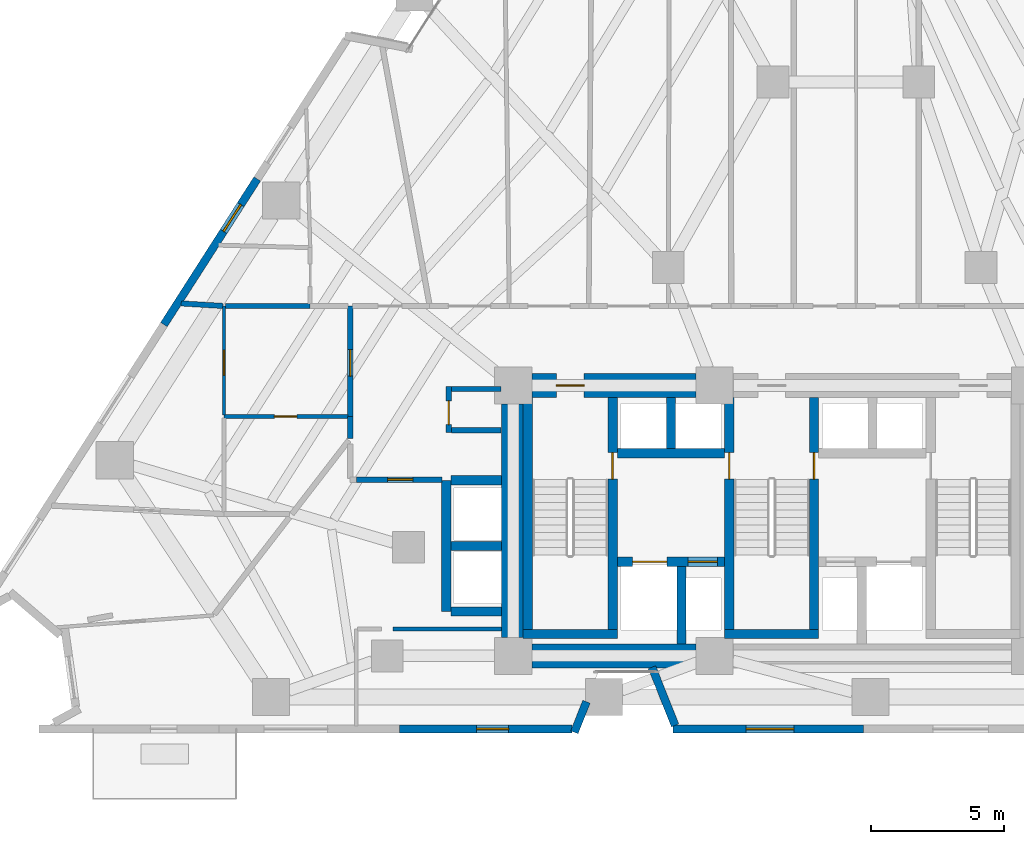
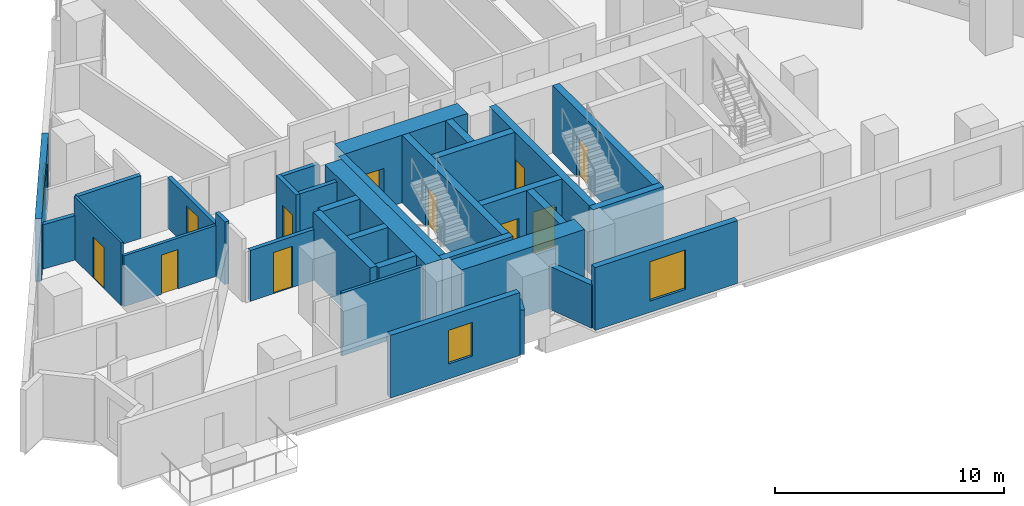
# One storey, part 8 of 14: 33 walls, 11 doors, 3 windows, 14 openings.
"""IFC4 building model written with IfcOpenShell, lengths in metres."""

from ifc_helpers import new_model, si_unit, direction, frame, frame_2d, origin, place, context, subcontext, project, spatial, rectangle, extrude, material, layer, layer_set, type_object, element, fill, save


model = new_model("IFC4")

# Units and contexts
model_context = context("Model", 3, precision=1e-05, world=origin(), true_north=direction((0.0, 1.0)))
body_context = subcontext(model_context, "Body", "Model", "MODEL_VIEW")
ifc_project = project(units=[si_unit("LENGTHUNIT", "METRE"), si_unit("AREAUNIT", "SQUARE_METRE"), si_unit("VOLUMEUNIT", "CUBIC_METRE"), si_unit("PLANEANGLEUNIT", "RADIAN"), si_unit("MASSUNIT", "GRAM", prefix="KILO")], contexts=[model_context])

# Site, building, storey
site_placement = place(None, origin())
site = spatial("IfcSite", under=ifc_project, at=site_placement, CompositionType="ELEMENT")
building_placement = place(site_placement, origin())
building = spatial("IfcBuilding", under=site, at=building_placement, Name="Almagre Mirador Tower", CompositionType="ELEMENT")
storey_placement = place(building_placement, frame((0.0, 0.0, 35.39990234375)))
storey = spatial("IfcBuildingStorey", under=building, at=storey_placement, Name="L07", CompositionType="ELEMENT", Elevation=35.39990234375)

# Wall, opening, window
ifc_material_1 = material(Name="Precast concrete C50/60", Category="concrete")
ifc_layer_1 = layer(ifc_material_1, 0.300048828125)
ifc_layer_set_1 = layer_set([ifc_layer_1], Name="Precast concrete C50/60")
wall_type_1 = type_object("IfcWallType", Name="WAL-EXT-300", PredefinedType="SOLIDWALL", material=ifc_layer_set_1)
wall_1_placement = place(storey_placement, frame((40.760986328125, 1.800048828125, 0.0), z_axis=(0.0, 0.0, 1.0), x_axis=(-1.0, 0.0, 0.0)))
wall_1 = element("IfcWall", 1, at=wall_1_placement, inside=storey, type_object=wall_type_1, Name="L07 expressed almagre precast frame wall 25", PredefinedType="SOLIDWALL", context=body_context, shape_type="SweptSolid", body=[
    extrude(rectangle(XDim=7.19287109375, YDim=0.300048828125, at=frame_2d((3.596435546875, 0.0))), origin(), (0.0, 0.0, 1.0), 3.35009765625),
])
opening_1_placement = place(wall_1_placement, frame((2.625, 0.0, 0.60009765625)))
opening_1 = element("IfcOpeningElement", 2, at=opening_1_placement, cuts=wall_1, Name="Opening WN-01", PredefinedType="OPENING", context=body_context, shape_type="SweptSolid", body=[
    extrude(rectangle(XDim=1.800048828125, YDim=2.10009765625, at=frame_2d((0.89990234375, 1.050048828125))), frame((0.0, 0.159902, 0.0), z_axis=(0.0, -1.0, 0.0), x_axis=(1.0, 0.0, 0.0)), (0.0, 0.0, 1.0), 0.320049),
])
ifc_material_2 = material(Name="Dark solar-control laminated hurricane glass", Category="glass")
window_type_1 = type_object("IfcWindowType", Name="WIN-1800X2100", PartitioningType="DOUBLE_PANEL_VERTICAL", PredefinedType="WINDOW", material=ifc_material_2)
window_1_placement = place(opening_1_placement, origin())
window_1 = element("IfcWindow", 3, at=window_1_placement, inside=storey, type_object=window_type_1, Name="L07 recessed hurricane window L07-RST-C", OverallHeight=2.10009765625, OverallWidth=1.800048828125, PartitioningType="SINGLE_PANEL", PredefinedType="WINDOW", context=body_context, shape_type="SweptSolid", body=[
    extrude(rectangle(XDim=1.800048828125, YDim=2.10009765625, at=frame_2d((0.89990234375, 1.050048828125))), frame((0.0, 0.030029296875, 0.0), z_axis=(0.0, -1.0, 0.0), x_axis=(1.0, 0.0, 0.0)), (0.0, 0.0, 1.0), 0.06005859375),
])
fill(opening_1, window_1)

# Walls
wall_2_placement = place(storey_placement, frame((33.658203125, 1.92529296875, 0.0), z_axis=(0.0, 0.0, 1.0), x_axis=(-0.36946923074, 0.92924296475, 0.0)))
element("IfcWall", 4, at=wall_2_placement, inside=storey, type_object=wall_type_1, Name="L07 expressed almagre precast frame wall 26", PredefinedType="SOLIDWALL", context=body_context, shape_type="SweptSolid", body=[
    extrude(rectangle(XDim=2.366943359375, YDim=0.300048828125, at=frame_2d((1.18359375, 0.0))), origin(), (0.0, 0.0, 1.0), 2.300048828125),
])
wall_3_placement = place(storey_placement, frame((30.31396484375, 2.82080078125, 0.0), z_axis=(0.0, 0.0, 1.0), x_axis=(-0.369588763291, -0.929195429417, 0.0)))
element("IfcWall", 5, at=wall_3_placement, inside=storey, type_object=wall_type_1, Name="L07 expressed almagre precast frame wall 27", PredefinedType="SOLIDWALL", context=body_context, shape_type="SweptSolid", body=[
    extrude(rectangle(XDim=1.238525390625, YDim=0.300048828125, at=frame_2d((0.619140625, 0.0))), origin(), (0.0, 0.0, 1.0), 2.375),
])

# Wall, opening, window
wall_4_placement = place(storey_placement, frame((29.76806640625, 1.800048828125, 0.0), z_axis=(0.0, 0.0, 1.0), x_axis=(-1.0, 0.0, 0.0)))
wall_4 = element("IfcWall", 6, at=wall_4_placement, inside=storey, type_object=wall_type_1, Name="L07 expressed almagre precast frame wall 28", PredefinedType="SOLIDWALL", context=body_context, shape_type="SweptSolid", body=[
    extrude(rectangle(XDim=6.51611328125, YDim=0.300048828125, at=frame_2d((3.258056640625, 0.0))), origin(), (0.0, 0.0, 1.0), 3.35009765625),
])
opening_2_placement = place(wall_4_placement, frame((2.39501953125, 0.0, 0.800048828125)))
opening_2 = element("IfcOpeningElement", 7, at=opening_2_placement, cuts=wall_4, Name="Opening WN-04", PredefinedType="OPENING", context=body_context, shape_type="SweptSolid", body=[
    extrude(rectangle(XDim=1.199951171875, YDim=1.800048828125, at=frame_2d((0.60009765625, 0.89990234375))), frame((0.0, 0.159902, 0.0), z_axis=(0.0, -1.0, 0.0), x_axis=(1.0, 0.0, 0.0)), (0.0, 0.0, 1.0), 0.320049),
])
ifc_material_3 = material(Name="Dark solar-control laminated hurricane glass", Category="glass")
window_type_2 = type_object("IfcWindowType", Name="WIN-1200X1800", PartitioningType="SINGLE_PANEL", PredefinedType="WINDOW", material=ifc_material_3)
window_2_placement = place(opening_2_placement, origin())
window_2 = element("IfcWindow", 8, at=window_2_placement, inside=storey, type_object=window_type_2, Name="L07 recessed hurricane window L07-UB-KT", OverallHeight=1.800048828125, OverallWidth=1.199951171875, PartitioningType="SINGLE_PANEL", PredefinedType="WINDOW", context=body_context, shape_type="SweptSolid", body=[
    extrude(rectangle(XDim=1.199951171875, YDim=1.800048828125, at=frame_2d((0.60009765625, 0.89990234375))), frame((0.0, 0.030029296875, 0.0), z_axis=(0.0, -1.0, 0.0), x_axis=(1.0, 0.0, 0.0)), (0.0, 0.0, 1.0), 0.06005859375),
])
fill(opening_2, window_2)

wall_5_placement = place(storey_placement, frame((14.3720703125, 17.049072265625, 0.0), z_axis=(0.0, 0.0, 1.0), x_axis=(0.539499522652, 0.841985905498, 0.0)))
wall_5 = element("IfcWall", 9, at=wall_5_placement, inside=storey, type_object=wall_type_1, Name="L07 expressed almagre precast frame wall 37", PredefinedType="SOLIDWALL", context=body_context, shape_type="SweptSolid", body=[
    extrude(rectangle(XDim=6.525390625, YDim=0.300048828125, at=frame_2d((3.2626953125, 0.0))), origin(), (0.0, 0.0, 1.0), 3.35009765625),
])
opening_3_placement = place(wall_5_placement, frame((4.175048828125, 0.0, 0.800048828125)))
opening_3 = element("IfcOpeningElement", 10, at=opening_3_placement, cuts=wall_5, Name="Opening WN-04", PredefinedType="OPENING", context=body_context, shape_type="SweptSolid", body=[
    extrude(rectangle(XDim=1.199951171875, YDim=1.800048828125, at=frame_2d((0.60009765625, 0.89990234375))), frame((0.0, 0.159902, 0.0), z_axis=(0.0, -1.0, 0.0), x_axis=(1.0, 0.0, 0.0)), (0.0, 0.0, 1.0), 0.320049),
])
window_3_placement = place(opening_3_placement, origin())
window_3 = element("IfcWindow", 11, at=window_3_placement, inside=storey, type_object=window_type_2, Name="L07 recessed hurricane window L07-UG-KT", OverallHeight=1.800048828125, OverallWidth=1.199951171875, PartitioningType="SINGLE_PANEL", PredefinedType="WINDOW", context=body_context, shape_type="SweptSolid", body=[
    extrude(rectangle(XDim=1.199951171875, YDim=1.800048828125, at=frame_2d((0.60009765625, 0.89990234375))), frame((0.0, 0.030029296875, 0.0), z_axis=(0.0, -1.0, 0.0), x_axis=(1.0, 0.0, 0.0)), (0.0, 0.0, 1.0), 0.06005859375),
])
fill(opening_3, window_3)

# Wall, opening, door
ifc_material_4 = material(Name="Gypsum acoustic stud partition", Category="other")
ifc_layer_2 = layer(ifc_material_4, 0.125)
ifc_layer_set_2 = layer_set([ifc_layer_2], Name="Gypsum acoustic stud partition")
wall_type_2 = type_object("IfcWallType", Name="WAL-PRT-125-UTL", PredefinedType="PARTITIONING", material=ifc_layer_set_2)
wall_6_placement = place(storey_placement, frame((16.639892578125, 17.75, 0.0), z_axis=(0.0, 0.0, 1.0), x_axis=(0.0, -1.0, 0.0)))
wall_6 = element("IfcWall", 12, at=wall_6_placement, inside=storey, type_object=wall_type_2, Name="L07 interior partition 034", PredefinedType="PARTITIONING", context=body_context, shape_type="SweptSolid", body=[
    extrude(rectangle(XDim=4.110107421875, YDim=0.125, at=frame_2d((2.05517578125, 0.0))), origin(), (0.0, 0.0, 1.0), 3.35009765625),
])
opening_4_placement = place(wall_6_placement, frame((1.668701171875, 0.0, 0.0)))
opening_4 = element("IfcOpeningElement", 13, at=opening_4_placement, cuts=wall_6, Name="Opening UD-01", PredefinedType="OPENING", context=body_context, shape_type="SweptSolid", body=[
    extrude(rectangle(XDim=0.949951171875, YDim=2.199951171875, at=frame_2d((0.47509765625, 1.10009765625))), frame((0.0, 0.0725, 0.0), z_axis=(0.0, -1.0, 0.0), x_axis=(1.0, 0.0, 0.0)), (0.0, 0.0, 1.0), 0.145),
])
ifc_material_5 = material(Name="Solid American walnut timber", Category="wood")
door_type_1 = type_object("IfcDoorType", Name="DOR-UNR-950X2200", OperationType="NOTDEFINED", PredefinedType="DOOR", material=ifc_material_5)
door_1_placement = place(opening_4_placement, origin())
door_1 = element("IfcDoor", 14, at=door_1_placement, inside=storey, type_object=door_type_1, Name="DR-0221 L07 interior door L07-UE-ST to L07-UE-KT", OperationType="SINGLE_SWING_RIGHT", OverallHeight=2.199951171875, OverallWidth=0.949951171875, PredefinedType="DOOR", context=body_context, shape_type="SweptSolid", body=[
    extrude(rectangle(XDim=0.949951171875, YDim=2.199951171875, at=frame_2d((0.47509765625, 1.10009765625))), frame((0.0, 0.02490234375, 0.0), z_axis=(0.0, -1.0, 0.0), x_axis=(1.0, 0.0, 0.0)), (0.0, 0.0, 1.0), 0.050048828125),
])
fill(opening_4, door_1)

# Wall
ifc_material_6 = material(Name="Gypsum acoustic stud partition", Category="other")
ifc_layer_3 = layer(ifc_material_6, 0.14990234375)
ifc_layer_set_3 = layer_set([ifc_layer_3], Name="Gypsum acoustic stud partition")
wall_type_3 = type_object("IfcWallType", Name="WAL-PRT-150-STD", PredefinedType="PARTITIONING", material=ifc_layer_set_3)
wall_7_placement = place(storey_placement, frame((23.02001953125, 5.570068359375, 0.0), z_axis=(0.0, 0.0, 1.0), x_axis=(1.0, 0.0, 0.0)))
element("IfcWall", 15, at=wall_7_placement, inside=storey, type_object=wall_type_3, Name="L07 interior partition 030", PredefinedType="PARTITIONING", context=body_context, shape_type="SweptSolid", body=[
    extrude(rectangle(XDim=4.080078125, YDim=0.14990234375, at=frame_2d((2.0400390625, 0.0))), origin(), (0.0, 0.0, 1.0), 3.35009765625),
])

# Wall, opening, door
wall_8_placement = place(storey_placement, frame((16.639892578125, 13.580078125, 0.0), z_axis=(0.0, 0.0, 1.0), x_axis=(1.0, 0.0, 0.0)))
wall_8 = element("IfcWall", 16, at=wall_8_placement, inside=storey, type_object=wall_type_3, Name="L07 interior partition 033", PredefinedType="PARTITIONING", context=body_context, shape_type="SweptSolid", body=[
    extrude(rectangle(XDim=4.675048828125, YDim=0.14990234375, at=frame_2d((2.33740234375, 0.0))), origin(), (0.0, 0.0, 1.0), 2.712158203125),
])
opening_5_placement = place(wall_8_placement, frame((1.896484375, 0.0, 0.0)))
opening_5 = element("IfcOpeningElement", 17, at=opening_5_placement, cuts=wall_8, Name="Opening UD-04", PredefinedType="OPENING", context=body_context, shape_type="SweptSolid", body=[
    extrude(rectangle(XDim=0.85009765625, YDim=2.10009765625, at=frame_2d((0.425048828125, 1.050048828125))), frame((0.0, 0.084951, 0.0), z_axis=(0.0, -1.0, 0.0), x_axis=(1.0, 0.0, 0.0)), (0.0, 0.0, 1.0), 0.169902),
])
ifc_material_7 = material(Name="Moisture-resistant oak timber", Category="wood")
door_type_2 = type_object("IfcDoorType", Name="DOR-UNR-850X2100", OperationType="NOTDEFINED", PredefinedType="DOOR", material=ifc_material_7)
door_2_placement = place(opening_5_placement, origin())
door_2 = element("IfcDoor", 18, at=door_2_placement, inside=storey, type_object=door_type_2, Name="DR-0222 L07 interior door L07-UE-ST to L07-UE-BT", OperationType="SINGLE_SWING_LEFT", OverallHeight=2.10009765625, OverallWidth=0.85009765625, PredefinedType="DOOR", context=body_context, shape_type="SweptSolid", body=[
    extrude(rectangle(XDim=0.85009765625, YDim=2.10009765625, at=frame_2d((0.425048828125, 1.050048828125))), frame((0.0, 0.02490234375, 0.0), z_axis=(0.0, -1.0, 0.0), x_axis=(1.0, 0.0, 0.0)), (0.0, 0.0, 1.0), 0.050048828125),
])
fill(opening_5, door_2)

ifc_material_8 = material(Name="Gypsum acoustic stud partition", Category="other")
ifc_layer_4 = layer(ifc_material_8, 0.199951171875)
ifc_layer_set_4 = layer_set([ifc_layer_4], Name="Gypsum acoustic stud partition")
wall_type_4 = type_object("IfcWallType", Name="WAL-PRT-200-EI60", PredefinedType="PARTITIONING", material=ifc_layer_set_4)
wall_9_placement = place(storey_placement, frame((25.1201171875, 12.969970703125, 0.0), z_axis=(0.0, 0.0, 1.0), x_axis=(0.0, 1.0, 0.0)))
wall_9 = element("IfcWall", 19, at=wall_9_placement, inside=storey, type_object=wall_type_4, Name="L07 core ancillary west wall", PredefinedType="PARTITIONING", context=body_context, shape_type="SweptSolid", body=[
    extrude(rectangle(XDim=1.739990234375, YDim=0.199951171875, at=frame_2d((0.8701171875, 0.0))), origin(), (0.0, 0.0, 1.0), 3.35009765625),
])
opening_6_placement = place(wall_9_placement, frame((0.304931640625, 0.0, 0.0)))
opening_6 = element("IfcOpeningElement", 20, at=opening_6_placement, cuts=wall_9, Name="Opening ID-03", PredefinedType="OPENING", context=body_context, shape_type="SweptSolid", body=[
    extrude(rectangle(XDim=0.89990234375, YDim=2.10009765625, at=frame_2d((0.449951171875, 1.050048828125))), frame((0.0, 0.110098, 0.0), z_axis=(0.0, -1.0, 0.0), x_axis=(1.0, 0.0, 0.0)), (0.0, 0.0, 1.0), 0.219951),
])
ifc_material_9 = material(Name="Fire-rated hollow steel", Category="steel")
door_type_3 = type_object("IfcDoorType", Name="DOR-FD60-900X2100", OperationType="NOTDEFINED", PredefinedType="DOOR", material=ifc_material_9)
door_3_placement = place(opening_6_placement, origin())
door_3 = element("IfcDoor", 21, at=door_3_placement, inside=storey, type_object=door_type_3, Name="DR-0207 L07 core ancillary corridor door", OperationType="SINGLE_SWING_LEFT", OverallHeight=2.10009765625, OverallWidth=0.89990234375, PredefinedType="DOOR", context=body_context, shape_type="SweptSolid", body=[
    extrude(rectangle(XDim=0.89990234375, YDim=2.10009765625, at=frame_2d((0.449951171875, 1.050048828125))), frame((0.0, 0.02490234375, 0.0), z_axis=(0.0, -1.0, 0.0), x_axis=(1.0, 0.0, 0.0)), (0.0, 0.0, 1.0), 0.050048828125),
])
fill(opening_6, door_3)

# Walls
for number, where, z_axis, x_axis, name in (
    (22, (25.22509765625, 14.6201171875, 0.0), (0.0, 0.0, 1.0), (1.0, 0.0, 0.0), "L07 core ancillary north wall"),
    (23, (25.22509765625, 13.06005859375, 0.0), (0.0, 0.0, 1.0), (1.0, 0.0, 0.0), "L07 core ancillary south wall"),
):
    element("IfcWall", number, at=place(storey_placement, frame(where, z_axis=z_axis, x_axis=x_axis)), inside=storey, type_object=wall_type_4, Name=name, PredefinedType="PARTITIONING", context=body_context, shape_type="SweptSolid", body=[
        extrude(rectangle(XDim=1.85986328125, YDim=0.199951171875, at=frame_2d((0.929931640625, 0.0))), origin(), (0.0, 0.0, 1.0), 3.35009765625),
    ])

# Wall, opening, door
wall_10_placement = place(storey_placement, frame((21.6298828125, 11.199951171875, 0.0), z_axis=(0.0, 0.0, 1.0), x_axis=(1.0, 0.0, 0.0)))
wall_10 = element("IfcWall", 24, at=wall_10_placement, inside=storey, type_object=wall_type_4, Name="L07 interior partition 003", PredefinedType="PARTITIONING", context=body_context, shape_type="SweptSolid", body=[
    extrude(rectangle(XDim=3.2392578125, YDim=0.199951171875, at=frame_2d((1.61962890625, 0.0))), origin(), (0.0, 0.0, 1.0), 2.712158203125),
])
opening_7_placement = place(wall_10_placement, frame((1.18505859375, 0.0, 0.0)))
opening_7 = element("IfcOpeningElement", 25, at=opening_7_placement, cuts=wall_10, Name="Opening UD-01", PredefinedType="OPENING", context=body_context, shape_type="SweptSolid", body=[
    extrude(rectangle(XDim=0.949951171875, YDim=2.199951171875, at=frame_2d((0.47509765625, 1.10009765625))), frame((0.0, 0.110098, 0.0), z_axis=(0.0, -1.0, 0.0), x_axis=(1.0, 0.0, 0.0)), (0.0, 0.0, 1.0), 0.219951),
])
door_4_placement = place(opening_7_placement, origin())
door_4 = element("IfcDoor", 26, at=door_4_placement, inside=storey, type_object=door_type_1, Name="DR-0230 L07 interior door L07-UA-KT to L07-RCOR", OperationType="SINGLE_SWING_LEFT", OverallHeight=2.199951171875, OverallWidth=0.949951171875, PredefinedType="DOOR", context=body_context, shape_type="SweptSolid", body=[
    extrude(rectangle(XDim=0.949951171875, YDim=2.199951171875, at=frame_2d((0.47509765625, 1.10009765625))), frame((0.0, 0.02490234375, 0.0), z_axis=(0.0, -1.0, 0.0), x_axis=(1.0, 0.0, 0.0)), (0.0, 0.0, 1.0), 0.050048828125),
])
fill(opening_7, door_4)

wall_11_placement = place(storey_placement, frame((21.39990234375, 17.75, 0.0), z_axis=(0.0, 0.0, 1.0), x_axis=(0.0, -1.0, 0.0)))
wall_11 = element("IfcWall", 27, at=wall_11_placement, inside=storey, type_object=wall_type_4, Name="L07 interior partition 007", PredefinedType="PARTITIONING", context=body_context, shape_type="SweptSolid", body=[
    extrude(rectangle(XDim=4.169921875, YDim=0.199951171875, at=frame_2d((2.0849609375, 0.0))), origin(), (0.0, 0.0, 1.0), 2.712158203125),
])
opening_8_placement = place(wall_11_placement, frame((1.642822265625, 0.0, 0.0)))
opening_8 = element("IfcOpeningElement", 28, at=opening_8_placement, cuts=wall_11, Name="Opening ID-01", PredefinedType="OPENING", context=body_context, shape_type="SweptSolid", body=[
    extrude(rectangle(XDim=1.0, YDim=2.199951171875, at=frame_2d((0.5, 1.10009765625))), frame((0.0, 0.110098, 0.0), z_axis=(0.0, -1.0, 0.0), x_axis=(1.0, 0.0, 0.0)), (0.0, 0.0, 1.0), 0.219951),
])
ifc_material_10 = material(Name="Fire-rated walnut timber", Category="wood")
door_type_4 = type_object("IfcDoorType", Name="DOR-FD60-1000X2200", OperationType="NOTDEFINED", PredefinedType="DOOR", material=ifc_material_10)
door_5_placement = place(opening_8_placement, origin())
door_5 = element("IfcDoor", 29, at=door_5_placement, inside=storey, type_object=door_type_4, Name="DR-0220 L07 interior door L07-RCOR to L07-UE-ST", OperationType="SINGLE_SWING_LEFT", OverallHeight=2.199951171875, OverallWidth=1.0, PredefinedType="DOOR", context=body_context, shape_type="SweptSolid", body=[
    extrude(rectangle(XDim=1.0, YDim=2.199951171875, at=frame_2d((0.5, 1.10009765625))), frame((0.0, 0.02490234375, 0.0), z_axis=(0.0, -1.0, 0.0), x_axis=(1.0, 0.0, 0.0)), (0.0, 0.0, 1.0), 0.050048828125),
])
fill(opening_8, door_5)

# Walls
wall_12_placement = place(storey_placement, frame((21.39990234375, 13.580078125, 0.0), z_axis=(0.0, 0.0, 1.0), x_axis=(0.0, -1.0, 0.0)))
element("IfcWall", 30, at=wall_12_placement, inside=storey, type_object=wall_type_4, Name="L07 interior partition 008", PredefinedType="PARTITIONING", context=body_context, shape_type="SweptSolid", body=[
    extrude(rectangle(XDim=0.830078125, YDim=0.199951171875, at=frame_2d((0.4150390625, 0.0))), origin(), (0.0, 0.0, 1.0), 3.35009765625),
])
wall_13_placement = place(storey_placement, frame((19.889892578125, 17.75, 0.0), z_axis=(0.0, 0.0, 1.0), x_axis=(-1.0, 0.0, 0.0)))
element("IfcWall", 31, at=wall_13_placement, inside=storey, type_object=wall_type_4, Name="L07 interior partition 036", PredefinedType="PARTITIONING", context=body_context, shape_type="SweptSolid", body=[
    extrude(rectangle(XDim=3.202392578125, YDim=0.199951171875, at=frame_2d((1.60107421875, 0.0))), origin(), (0.0, 0.0, 1.0), 3.35009765625),
])
wall_14_placement = place(storey_placement, frame((16.592529296875, 17.752197265625, 0.0), z_axis=(0.0, 0.0, 1.0), x_axis=(-0.998181550188, 0.060279290502, 0.0)))
element("IfcWall", 32, at=wall_14_placement, inside=storey, type_object=wall_type_4, Name="L07 interior partition 038", PredefinedType="PARTITIONING", context=body_context, shape_type="SweptSolid", body=[
    extrude(rectangle(XDim=1.571533203125, YDim=0.199951171875, at=frame_2d((0.78564453125, 0.0))), origin(), (0.0, 0.0, 1.0), 2.3701171875),
])
ifc_material_11 = material(Name="Concrete C60/75", Category="concrete")
ifc_layer_5 = layer(ifc_material_11, 0.35009765625)
ifc_layer_set_5 = layer_set([ifc_layer_5], Name="Concrete C60/75")
wall_type_5 = type_object("IfcWallType", Name="WAL-SHF-350", PredefinedType="SOLIDWALL", material=ifc_layer_set_5)
wall_15_placement = place(storey_placement, frame((28.10009765625, 5.199951171875, 0.0), z_axis=(0.0, 0.0, 1.0), x_axis=(0.0, 1.0, 0.0)))
element("IfcWall", 33, at=wall_15_placement, inside=storey, type_object=wall_type_5, Name="L07 shaft wall ST1-W", PredefinedType="SOLIDWALL", context=body_context, shape_type="SweptSolid", body=[
    extrude(rectangle(XDim=9.10009765625, YDim=0.35009765625, at=frame_2d((4.550048828125, 0.0))), origin(), (0.0, 0.0, 1.0), 3.60009765625),
])

# Wall, opening, door
wall_16_placement = place(storey_placement, frame((31.300048828125, 5.199951171875, 0.0), z_axis=(0.0, 0.0, 1.0), x_axis=(0.0, 1.0, 0.0)))
wall_16 = element("IfcWall", 34, at=wall_16_placement, inside=storey, type_object=wall_type_5, Name="L07 shaft wall ST1-E", PredefinedType="SOLIDWALL", context=body_context, shape_type="SweptSolid", body=[
    extrude(rectangle(XDim=9.10009765625, YDim=0.35009765625, at=frame_2d((4.550048828125, 0.0))), origin(), (0.0, 0.0, 1.0), 3.60009765625),
])
opening_9_placement = place(wall_16_placement, frame((6.02001953125, 0.0, 0.0)))
opening_9 = element("IfcOpeningElement", 35, at=opening_9_placement, cuts=wall_16, Name="Opening FD-01", PredefinedType="OPENING", context=body_context, shape_type="SweptSolid", body=[
    extrude(rectangle(XDim=1.0, YDim=2.14990234375, at=frame_2d((0.5, 1.074951171875))), frame((0.0, 0.185049, 0.0), z_axis=(0.0, -1.0, 0.0), x_axis=(1.0, 0.0, 0.0)), (0.0, 0.0, 1.0), 0.370098),
])
ifc_material_12 = material(Name="Fire-rated hollow steel", Category="steel")
door_type_5 = type_object("IfcDoorType", Name="DOR-FFL-1000X2150", OperationType="NOTDEFINED", PredefinedType="DOOR", material=ifc_material_12)
door_6_placement = place(opening_9_placement, origin())
door_6 = element("IfcDoor", 36, at=door_6_placement, inside=storey, type_object=door_type_5, Name="DR-0208 L07 FFL1-ST1 smokeproof door", OperationType="SINGLE_SWING_LEFT", OverallHeight=2.14990234375, OverallWidth=1.0, PredefinedType="DOOR", context=body_context, shape_type="SweptSolid", body=[
    extrude(rectangle(XDim=1.0, YDim=2.14990234375, at=frame_2d((0.5, 1.074951171875))), frame((0.0, 0.02490234375, 0.0), z_axis=(0.0, -1.0, 0.0), x_axis=(1.0, 0.0, 0.0)), (0.0, 0.0, 1.0), 0.050048828125),
])
fill(opening_9, door_6)

# Wall
wall_17_placement = place(storey_placement, frame((27.925048828125, 5.375, 0.0), z_axis=(0.0, 0.0, 1.0), x_axis=(1.0, 0.0, 0.0)))
element("IfcWall", 37, at=wall_17_placement, inside=storey, type_object=wall_type_5, Name="L07 shaft wall ST1-S", PredefinedType="SOLIDWALL", context=body_context, shape_type="SweptSolid", body=[
    extrude(rectangle(XDim=3.550048828125, YDim=0.35009765625, at=frame_2d((1.77490234375, 0.0))), origin(), (0.0, 0.0, 1.0), 3.60009765625),
])

# Wall, opening, door
wall_18_placement = place(storey_placement, frame((35.699951171875, 5.199951171875, 0.0), z_axis=(0.0, 0.0, 1.0), x_axis=(0.0, 1.0, 0.0)))
wall_18 = element("IfcWall", 38, at=wall_18_placement, inside=storey, type_object=wall_type_5, Name="L07 shaft wall ST2-W", PredefinedType="SOLIDWALL", context=body_context, shape_type="SweptSolid", body=[
    extrude(rectangle(XDim=9.10009765625, YDim=0.35009765625, at=frame_2d((4.550048828125, 0.0))), origin(), (0.0, 0.0, 1.0), 3.60009765625),
])
opening_10_placement = place(wall_18_placement, frame((6.02001953125, 0.0, 0.0)))
opening_10 = element("IfcOpeningElement", 39, at=opening_10_placement, cuts=wall_18, Name="Opening FD-01", PredefinedType="OPENING", context=body_context, shape_type="SweptSolid", body=[
    extrude(rectangle(XDim=1.0, YDim=2.14990234375, at=frame_2d((0.5, 1.074951171875))), frame((0.0, 0.185049, 0.0), z_axis=(0.0, -1.0, 0.0), x_axis=(1.0, 0.0, 0.0)), (0.0, 0.0, 1.0), 0.370098),
])
door_7_placement = place(opening_10_placement, origin())
door_7 = element("IfcDoor", 40, at=door_7_placement, inside=storey, type_object=door_type_5, Name="DR-0209 L07 FFL1-ST2 smokeproof door", OperationType="SINGLE_SWING_RIGHT", OverallHeight=2.14990234375, OverallWidth=1.0, PredefinedType="DOOR", context=body_context, shape_type="SweptSolid", body=[
    extrude(rectangle(XDim=1.0, YDim=2.14990234375, at=frame_2d((0.5, 1.074951171875))), frame((0.0, 0.02490234375, 0.0), z_axis=(0.0, -1.0, 0.0), x_axis=(1.0, 0.0, 0.0)), (0.0, 0.0, 1.0), 0.050048828125),
])
fill(opening_10, door_7)

wall_19_placement = place(storey_placement, frame((38.89990234375, 5.199951171875, 0.0), z_axis=(0.0, 0.0, 1.0), x_axis=(0.0, 1.0, 0.0)))
wall_19 = element("IfcWall", 41, at=wall_19_placement, inside=storey, type_object=wall_type_5, Name="L07 shaft wall ST2-E", PredefinedType="SOLIDWALL", context=body_context, shape_type="SweptSolid", body=[
    extrude(rectangle(XDim=9.10009765625, YDim=0.35009765625, at=frame_2d((4.550048828125, 0.0))), origin(), (0.0, 0.0, 1.0), 3.60009765625),
])
opening_11_placement = place(wall_19_placement, frame((6.02001953125, 0.0, 0.0)))
opening_11 = element("IfcOpeningElement", 42, at=opening_11_placement, cuts=wall_19, Name="Opening FD-01", PredefinedType="OPENING", context=body_context, shape_type="SweptSolid", body=[
    extrude(rectangle(XDim=1.0, YDim=2.14990234375, at=frame_2d((0.5, 1.074951171875))), frame((0.0, 0.185049, 0.0), z_axis=(0.0, -1.0, 0.0), x_axis=(1.0, 0.0, 0.0)), (0.0, 0.0, 1.0), 0.370098),
])
door_8_placement = place(opening_11_placement, origin())
door_8 = element("IfcDoor", 43, at=door_8_placement, inside=storey, type_object=door_type_5, Name="DR-0210 L07 FFL2-ST2 smokeproof door", OperationType="SINGLE_SWING_LEFT", OverallHeight=2.14990234375, OverallWidth=1.0, PredefinedType="DOOR", context=body_context, shape_type="SweptSolid", body=[
    extrude(rectangle(XDim=1.0, YDim=2.14990234375, at=frame_2d((0.5, 1.074951171875))), frame((0.0, 0.02490234375, 0.0), z_axis=(0.0, -1.0, 0.0), x_axis=(1.0, 0.0, 0.0)), (0.0, 0.0, 1.0), 0.050048828125),
])
fill(opening_11, door_8)

# Wall
wall_20_placement = place(storey_placement, frame((35.52490234375, 5.375, 0.0), z_axis=(0.0, 0.0, 1.0), x_axis=(1.0, 0.0, 0.0)))
element("IfcWall", 44, at=wall_20_placement, inside=storey, type_object=wall_type_5, Name="L07 shaft wall ST2-S", PredefinedType="SOLIDWALL", context=body_context, shape_type="SweptSolid", body=[
    extrude(rectangle(XDim=3.550048828125, YDim=0.35009765625, at=frame_2d((1.77490234375, 0.0))), origin(), (0.0, 0.0, 1.0), 3.60009765625),
])

# Wall, openings, doors
wall_21_placement = place(storey_placement, frame((31.47509765625, 8.10009765625, 0.0), z_axis=(0.0, 0.0, 1.0), x_axis=(1.0, 0.0, 0.0)))
wall_21 = element("IfcWall", 45, at=wall_21_placement, inside=storey, type_object=wall_type_5, Name="L07 shaft wall FSAE1-N", PredefinedType="SOLIDWALL", context=body_context, shape_type="SweptSolid", body=[
    extrude(rectangle(XDim=4.0498046875, YDim=0.35009765625, at=frame_2d((2.02490234375, 0.0))), origin(), (0.0, 0.0, 1.0), 3.60009765625),
])
opening_12_placement = place(wall_21_placement, frame((0.574951171875, 0.0, 0.0)))
opening_12 = element("IfcOpeningElement", 46, at=opening_12_placement, cuts=wall_21, Name="Opening LD-03", PredefinedType="OPENING", context=body_context, shape_type="SweptSolid", body=[
    extrude(rectangle(XDim=1.300048828125, YDim=2.25, at=frame_2d((0.64990234375, 1.125))), frame((0.0, 0.185049, 0.0), z_axis=(0.0, -1.0, 0.0), x_axis=(1.0, 0.0, 0.0)), (0.0, 0.0, 1.0), 0.370098),
])
opening_13_placement = place(wall_21_placement, frame((2.675048828125, 0.0, 0.0)))
opening_13 = element("IfcOpeningElement", 47, at=opening_13_placement, cuts=wall_21, Name="Opening LD-01", PredefinedType="OPENING", context=body_context, shape_type="SweptSolid", body=[
    extrude(rectangle(XDim=1.10009765625, YDim=2.199951171875, at=frame_2d((0.550048828125, 1.10009765625))), frame((0.0, 0.185049, 0.0), z_axis=(0.0, -1.0, 0.0), x_axis=(1.0, 0.0, 0.0)), (0.0, 0.0, 1.0), 0.370098),
])
ifc_material_13 = material(Name="Hollow stainless steel", Category="steel")
door_type_6 = type_object("IfcDoorType", Name="DOR-LD-1100X2200", OperationType="DOUBLE_DOOR_SLIDING", PredefinedType="DOOR", material=ifc_material_13)
door_9_placement = place(opening_13_placement, origin())
door_9 = element("IfcDoor", 48, at=door_9_placement, inside=storey, type_object=door_type_6, Name="DR-0233 L07 PL-L1 lift landing door", OperationType="DOUBLE_DOOR_SLIDING", OverallHeight=2.199951171875, OverallWidth=1.10009765625, PredefinedType="DOOR", context=body_context, shape_type="SweptSolid", body=[
    extrude(rectangle(XDim=1.10009765625, YDim=2.199951171875, at=frame_2d((0.550048828125, 1.10009765625))), frame((0.0, 0.02490234375, 0.0), z_axis=(0.0, -1.0, 0.0), x_axis=(1.0, 0.0, 0.0)), (0.0, 0.0, 1.0), 0.050048828125),
])
fill(opening_13, door_9)
ifc_material_14 = material(Name="Hollow stainless steel", Category="steel")
door_type_7 = type_object("IfcDoorType", Name="DOR-LD-1300X2250", OperationType="DOUBLE_DOOR_SLIDING", PredefinedType="DOOR", material=ifc_material_14)
door_10_placement = place(opening_12_placement, origin())
door_10 = element("IfcDoor", 49, at=door_10_placement, inside=storey, type_object=door_type_7, Name="DR-0231 L07 FSAE-1 lift landing door", OperationType="DOUBLE_DOOR_SLIDING", OverallHeight=2.25, OverallWidth=1.300048828125, PredefinedType="DOOR", context=body_context, shape_type="SweptSolid", body=[
    extrude(rectangle(XDim=1.300048828125, YDim=2.25, at=frame_2d((0.64990234375, 1.125))), frame((0.0, 0.02490234375, 0.0), z_axis=(0.0, -1.0, 0.0), x_axis=(1.0, 0.0, 0.0)), (0.0, 0.0, 1.0), 0.050048828125),
])
fill(opening_12, door_10)

# Walls
wall_22_placement = place(storey_placement, frame((33.89990234375, 5.0, 0.0), z_axis=(0.0, 0.0, 1.0), x_axis=(0.0, 1.0, 0.0)))
element("IfcWall", 50, at=wall_22_placement, inside=storey, type_object=wall_type_5, Name="L07 shaft wall FSAE1-E", PredefinedType="SOLIDWALL", context=body_context, shape_type="SweptSolid", body=[
    extrude(rectangle(XDim=2.925048828125, YDim=0.35009765625, at=frame_2d((1.46240234375, 0.0))), origin(), (0.0, 0.0, 1.0), 3.60009765625),
])
wall_23_placement = place(storey_placement, frame((31.47509765625, 12.199951171875, 0.0), z_axis=(0.0, 0.0, 1.0), x_axis=(1.0, 0.0, 0.0)))
element("IfcWall", 51, at=wall_23_placement, inside=storey, type_object=wall_type_5, Name="L07 shaft wall PLM-S", PredefinedType="SOLIDWALL", context=body_context, shape_type="SweptSolid", body=[
    extrude(rectangle(XDim=4.0498046875, YDim=0.35009765625, at=frame_2d((2.02490234375, 0.0))), origin(), (0.0, 0.0, 1.0), 3.60009765625),
])
wall_24_placement = place(storey_placement, frame((33.5, 12.375, 0.0), z_axis=(0.0, 0.0, 1.0), x_axis=(0.0, 1.0, 0.0)))
element("IfcWall", 52, at=wall_24_placement, inside=storey, type_object=wall_type_5, Name="L07 shaft wall PLM-M", PredefinedType="SOLIDWALL", context=body_context, shape_type="SweptSolid", body=[
    extrude(rectangle(XDim=1.925048828125, YDim=0.35009765625, at=frame_2d((0.96240234375, 0.0))), origin(), (0.0, 0.0, 1.0), 3.60009765625),
])
wall_25_placement = place(storey_placement, frame((25.02490234375, 6.22509765625, 0.0), z_axis=(0.0, 0.0, 1.0), x_axis=(0.0, 1.0, 0.0)))
element("IfcWall", 53, at=wall_25_placement, inside=storey, type_object=wall_type_5, Name="L07 shaft wall OL-W", PredefinedType="SOLIDWALL", context=body_context, shape_type="SweptSolid", body=[
    extrude(rectangle(XDim=4.949951171875, YDim=0.35009765625, at=frame_2d((2.47509765625, 0.0))), origin(), (0.0, 0.0, 1.0), 3.60009765625),
])
for number, where, z_axis, x_axis, name in (
    (54, (25.199951171875, 6.22509765625, 0.0), (0.0, 0.0, 1.0), (1.0, 0.0, 0.0), "L07 shaft wall OL-S"),
    (55, (25.199951171875, 8.699951171875, 0.0), (0.0, 0.0, 1.0), (1.0, 0.0, 0.0), "L07 shaft wall OL-M"),
    (56, (25.199951171875, 11.175048828125, 0.0), (0.0, 0.0, 1.0), (1.0, 0.0, 0.0), "L07 shaft wall OL-N"),
):
    element("IfcWall", number, at=place(storey_placement, frame(where, z_axis=z_axis, x_axis=x_axis)), inside=storey, type_object=wall_type_5, Name=name, PredefinedType="SOLIDWALL", context=body_context, shape_type="SweptSolid", body=[
        extrude(rectangle(XDim=1.900146484375, YDim=0.35009765625, at=frame_2d((0.9501953125, 0.0))), origin(), (0.0, 0.0, 1.0), 3.60009765625),
    ])
ifc_material_15 = material(Name="Concrete C70/85", Category="concrete")
ifc_layer_6 = layer(ifc_material_15, 0.89990234375)
ifc_layer_set_6 = layer_set([ifc_layer_6], Name="Concrete C70/85")
wall_type_6 = type_object("IfcWallType", Name="WAL-SHR-900", PredefinedType="SHEAR", material=ifc_layer_set_6)
wall_26_placement = place(storey_placement, frame((28.25, 4.550048828125, 0.0), z_axis=(0.0, 0.0, 1.0), x_axis=(1.0, 0.0, 0.0)))
element("IfcWall", 57, at=wall_26_placement, inside=storey, type_object=wall_type_6, Name="L07 core shear wall S1", PredefinedType="SHEAR", context=body_context, shape_type="SweptSolid", body=[
    extrude(rectangle(XDim=6.199951171875, YDim=0.89990234375, at=frame_2d((3.10009765625, 0.0))), origin(), (0.0, 0.0, 1.0), 3.60009765625),
])

# Wall, opening, door
wall_27_placement = place(storey_placement, frame((28.25, 14.75, 0.0), z_axis=(0.0, 0.0, 1.0), x_axis=(1.0, 0.0, 0.0)))
wall_27 = element("IfcWall", 58, at=wall_27_placement, inside=storey, type_object=wall_type_6, Name="L07 core shear wall N1", PredefinedType="SHEAR", context=body_context, shape_type="SweptSolid", body=[
    extrude(rectangle(XDim=6.199951171875, YDim=0.89990234375, at=frame_2d((3.10009765625, 0.0))), origin(), (0.0, 0.0, 1.0), 3.60009765625),
])
opening_14_placement = place(wall_27_placement, frame((0.925048828125, 0.0, 0.0)))
opening_14 = element("IfcOpeningElement", 59, at=opening_14_placement, cuts=wall_27, Name="Opening SD-01", PredefinedType="OPENING", context=body_context, shape_type="SweptSolid", body=[
    extrude(rectangle(XDim=1.050048828125, YDim=2.14990234375, at=frame_2d((0.52490234375, 1.074951171875))), frame((0.0, 0.459951, 0.0), z_axis=(0.0, -1.0, 0.0), x_axis=(1.0, 0.0, 0.0)), (0.0, 0.0, 1.0), 0.919902),
])
ifc_material_16 = material(Name="Fire-rated hollow steel", Category="steel")
door_type_8 = type_object("IfcDoorType", Name="DOR-ST-1050X2150", OperationType="NOTDEFINED", PredefinedType="DOOR", material=ifc_material_16)
door_11_placement = place(opening_14_placement, origin())
door_11 = element("IfcDoor", 60, at=door_11_placement, inside=storey, type_object=door_type_8, Name="DR-0235 L07 protected exit stair ST-1 door", OperationType="SINGLE_SWING_RIGHT", OverallHeight=2.14990234375, OverallWidth=1.050048828125, PredefinedType="DOOR", context=body_context, shape_type="SweptSolid", body=[
    extrude(rectangle(XDim=1.050048828125, YDim=2.14990234375, at=frame_2d((0.52490234375, 1.074951171875))), frame((0.0, 0.02490234375, 0.0), z_axis=(0.0, -1.0, 0.0), x_axis=(1.0, 0.0, 0.0)), (0.0, 0.0, 1.0), 0.050048828125),
])
fill(opening_14, door_11)

# Wall
wall_28_placement = place(storey_placement, frame((27.550048828125, 5.25, 0.0), z_axis=(0.0, 0.0, 1.0), x_axis=(0.0, 1.0, 0.0)))
element("IfcWall", 61, at=wall_28_placement, inside=storey, type_object=wall_type_6, Name="L07 core shear wall W1", PredefinedType="SHEAR", context=body_context, shape_type="SweptSolid", body=[
    extrude(rectangle(XDim=8.800048828125, YDim=0.89990234375, at=frame_2d((4.39990234375, 0.0))), origin(), (0.0, 0.0, 1.0), 3.60009765625),
])

save(model, "model.ifc")
